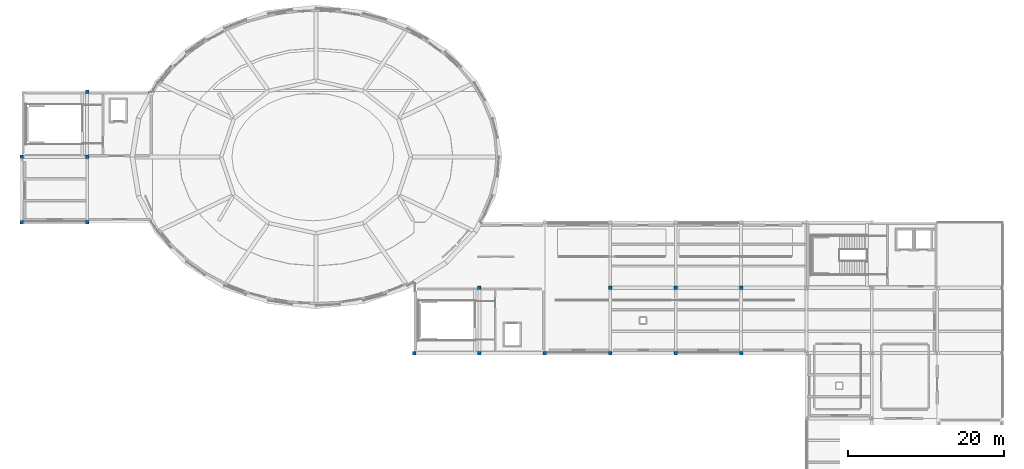
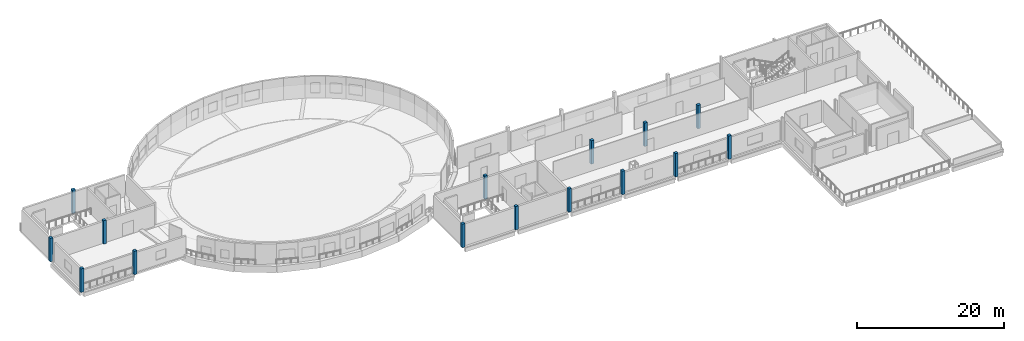
# One storey, part 1 of 16: 15 columns.
"""IFC4 building model written with IfcOpenShell, lengths in metres."""

from ifc_helpers import new_model, si_unit, derived_unit, direction, frame, origin, origin_2d, place, context, subcontext, project, spatial, rectangle, extrude, material, material_profile, profile_set, type_object, element, save


model = new_model("IFC4")

# Units and contexts
model_context = context("Model", 3, precision=1e-05, world=origin(), true_north=direction((0.0, 1.0)))
body_context = subcontext(model_context, "Body", "Model", "MODEL_VIEW")
ifc_project = project(units=[si_unit("LENGTHUNIT", "METRE"), si_unit("AREAUNIT", "SQUARE_METRE"), si_unit("VOLUMEUNIT", "CUBIC_METRE"), si_unit("PLANEANGLEUNIT", "RADIAN"), si_unit("MASSUNIT", "GRAM", prefix="KILO"), derived_unit("THERMALTRANSMITTANCEUNIT", [(si_unit("POWERUNIT", "WATT"), 1), (si_unit("LENGTHUNIT", "METRE"), -2), (si_unit("THERMODYNAMICTEMPERATUREUNIT", "KELVIN"), -1)])], contexts=[model_context])

# Site, building, storey
site_placement = place(None, origin())
site = spatial("IfcSite", under=ifc_project, at=site_placement, CompositionType="ELEMENT")
building_placement = place(site_placement, origin())
building = spatial("IfcBuilding", under=site, at=building_placement, Name="Elbkamm Science Centre", CompositionType="ELEMENT")
storey_placement = place(building_placement, frame((0.0, 0.0, 21.60009765625)))
storey = spatial("IfcBuildingStorey", under=building, at=storey_placement, Name="L05", CompositionType="ELEMENT", Elevation=21.60009765625)

# Columns
ifc_material = material(Name="Concrete C40/50", Category="concrete")
ifc_material_profile = material_profile(ifc_material, rectangle(XDim=0.449951171875, YDim=0.449951171875, at=origin_2d()), Name="RC 450x450")
ifc_profile_set = profile_set([ifc_material_profile], Name="Concrete C40/50")
column_type = type_object("IfcColumnType", Name="COL-RC-450", PredefinedType="COLUMN", material=ifc_profile_set)
for number, where, z_axis, x_axis, name in (
    (1, (25.199951171875, 58.800048828125, 0.0), (0.0, 0.0, 1.0), (1.0, 0.0, 0.0), "L05 Column GRID-4-H"),
    (2, (25.199951171875, 67.199951171875, 0.0), (0.0, 0.0, 1.0), (1.0, 0.0, 0.0), "L05 Column GRID-4-J"),
    (3, (33.60009765625, 58.800048828125, 0.0), (0.0, 0.0, 1.0), (1.0, 0.0, 0.0), "L05 Column GRID-5-H"),
    (4, (33.60009765625, 67.199951171875, 0.0), (0.0, 0.0, 1.0), (1.0, 0.0, 0.0), "L05 Column GRID-5-J"),
    (5, (33.60009765625, 75.60009765625, 0.0), (0.0, 0.0, 1.0), (1.0, 0.0, 0.0), "L05 Column GRID-5-K"),
    (6, (75.60009765625, 42.0, 0.0), (0.0, 0.0, 1.0), (1.0, 0.0, 0.0), "L05 Column GRID-10-F"),
    (7, (84.0, 42.0, 0.0), (0.0, 0.0, 1.0), (1.0, 0.0, 0.0), "L05 Column GRID-11-F"),
    (8, (84.0, 50.39990234375, 0.0), (0.0, 0.0, 1.0), (1.0, 0.0, 0.0), "L05 Column GRID-11-G"),
    (9, (92.39990234375, 42.0, 0.0), (0.0, 0.0, 1.0), (1.0, 0.0, 0.0), "L05 Column GRID-12-F"),
    (10, (100.800048828125, 42.0, 0.0), (0.0, 0.0, 1.0), (1.0, 0.0, 0.0), "L05 Column GRID-13-F"),
    (11, (100.800048828125, 50.39990234375, 0.0), (0.0, 0.0, 1.0), (1.0, 0.0, 0.0), "L05 Column GRID-13-G"),
    (12, (109.199951171875, 42.0, 0.0), (0.0, 0.0, 1.0), (1.0, 0.0, 0.0), "L05 Column GRID-14-F"),
    (13, (109.199951171875, 50.39990234375, 0.0), (0.0, 0.0, 1.0), (1.0, 0.0, 0.0), "L05 Column GRID-14-G"),
    (14, (117.60009765625, 42.0, 0.0), (0.0, 0.0, 1.0), (1.0, 0.0, 0.0), "L05 Column GRID-15-F"),
    (15, (117.60009765625, 50.39990234375, 0.0), (0.0, 0.0, 1.0), (1.0, 0.0, 0.0), "L05 Column GRID-15-G"),
):
    element("IfcColumn", number, at=place(storey_placement, frame(where, z_axis=z_axis, x_axis=x_axis)), inside=storey, type_object=column_type, Name=name, PredefinedType="COLUMN", context=body_context, shape_type="SweptSolid", body=[
        extrude(rectangle(XDim=0.449951171875, YDim=0.449951171875, at=origin_2d()), origin(), (0.0, 0.0, 1.0), 3.89990234375),
    ])

save(model, "model.ifc")
